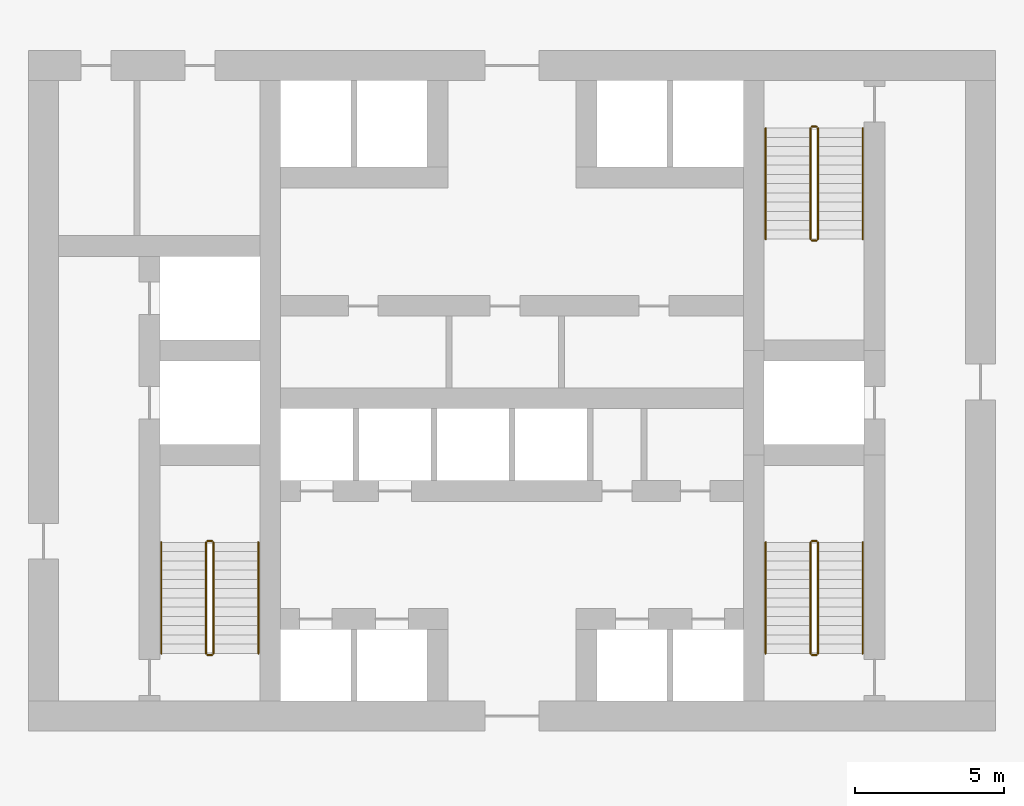
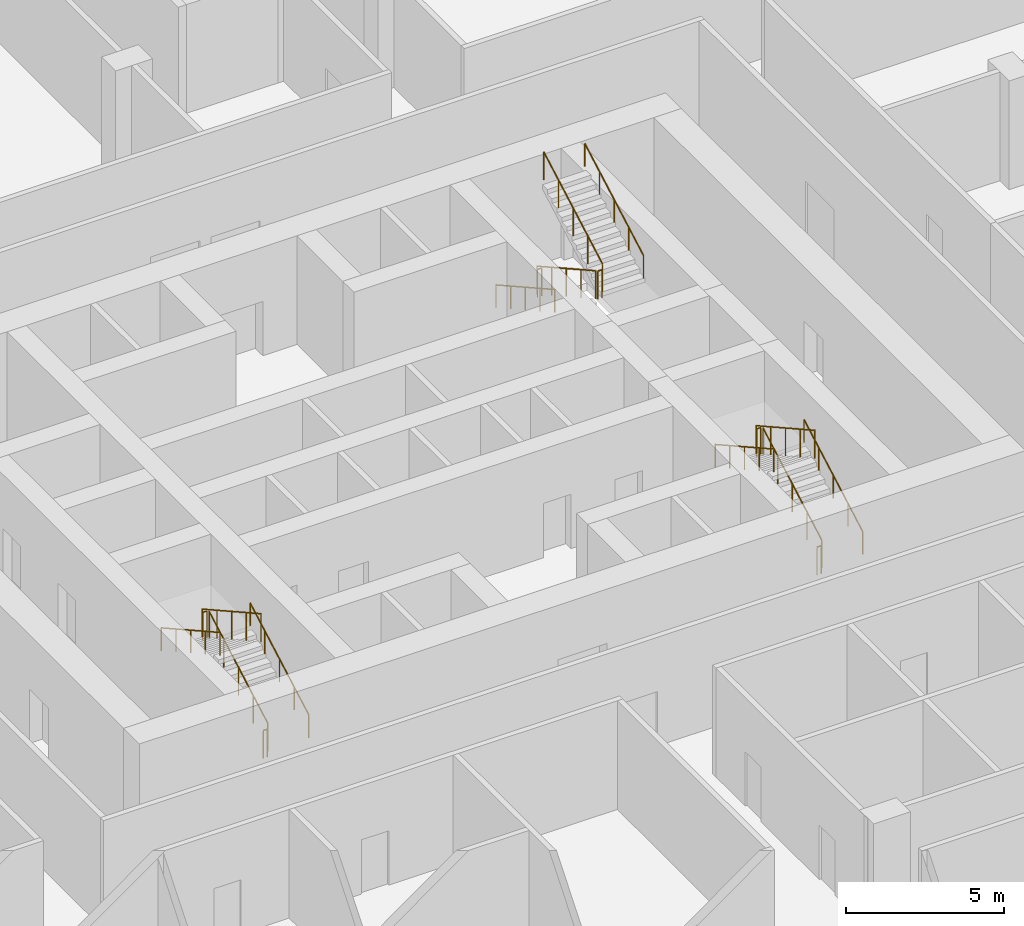
# One storey, part 43 of 45: 18 railings.
"""IFC4 building model written with IfcOpenShell, lengths in metres."""

import ifcopenshell
import ifcopenshell.guid

model = None  # the IFC model being written
_history = None  # IfcOwnerHistory: only IFC2X3 demands one
_inside = {}  # id of a spatial element -> (the spatial element, [elements in it])
_under = {}  # id of a project, library or spatial element -> (it, [spatial elements below it])
_declared = {}  # id of a project -> (the project, [libraries it declares])
_typed = {}  # id of a type object -> (the type object, [elements of that type])
_made_of = {}  # id of a material, layer set ... -> (it, [elements and type objects made of it])


def new_model(schema):
    """Start an empty IFC model of exactly this schema.

    Asked for "IFC4X3", IfcOpenShell would pick the latest addendum, in which some entities
    have other attributes; the version numbers below select the first issue.
    IFC2X3 requires an IfcOwnerHistory on every rooted entity: one is made here for all.
    """
    global model, _history
    if schema == "IFC4X3":
        model = ifcopenshell.file(schema_version=(4, 3, 0, 0))
    else:
        model = ifcopenshell.file(schema=schema)
    _inside.clear()
    _under.clear()
    _declared.clear()
    _typed.clear()
    _made_of.clear()
    _history = None
    if model.schema == "IFC2X3":
        org = make("IfcOrganization", Name="unknown")
        user = make(
            "IfcPersonAndOrganization",
            ThePerson=make("IfcPerson", FamilyName="unknown"),
            TheOrganization=org,
        )
        app = make(
            "IfcApplication",
            ApplicationDeveloper=org,
            Version="unknown",
            ApplicationFullName="unknown",
            ApplicationIdentifier="unknown",
        )
        _history = make(
            "IfcOwnerHistory",
            OwningUser=user,
            OwningApplication=app,
            ChangeAction="ADDED",
            CreationDate=0,
        )
    return model


def make(cls, **values):
    """One entity of the class cls with the attributes given. An attribute that is None is left unset."""
    return model.create_entity(
        cls, **{name: value for name, value in values.items() if value is not None}
    )


def rooted(cls, **values):
    """An entity with a GlobalId (a new one), such as an element, a storey or a relation."""
    return make(cls, GlobalId=ifcopenshell.guid.new(), OwnerHistory=_history, **values)


def si_unit(unit_type, name, prefix=None):
    """IfcSIUnit, for example si_unit("LENGTHUNIT", "METRE", prefix="MILLI")."""
    return make("IfcSIUnit", UnitType=unit_type, Prefix=prefix, Name=name)


def assignment(units):
    """IfcUnitAssignment: the units of a project."""
    return None if units is None else make("IfcUnitAssignment", Units=units)


def point(xyz):
    """IfcCartesianPoint."""
    return None if xyz is None else make("IfcCartesianPoint", Coordinates=xyz)


def direction(xyz):
    """IfcDirection."""
    return None if xyz is None else make("IfcDirection", DirectionRatios=xyz)


def frame(location, z_axis=None, x_axis=None):
    """IfcAxis2Placement3D, a coordinate frame: its origin and axes. An axis left out is left unset."""
    return make(
        "IfcAxis2Placement3D",
        Location=point(location),
        Axis=direction(z_axis),
        RefDirection=direction(x_axis),
    )


def frame_2d(location, x_axis=None):
    """IfcAxis2Placement2D, a coordinate frame in the plane: its origin and x axis."""
    return make(
        "IfcAxis2Placement2D", Location=point(location), RefDirection=direction(x_axis)
    )


def origin():
    """The frame at (0, 0, 0) with its axes left unset."""
    return frame((0.0, 0.0, 0.0))


def origin_2d():
    """The frame at (0, 0) in the plane with its x axis left unset."""
    return frame_2d((0.0, 0.0))


def place(relative_to, where):
    """IfcLocalPlacement: puts the frame where relative to a parent placement (None: the world)."""
    return make(
        "IfcLocalPlacement", PlacementRelTo=relative_to, RelativePlacement=where
    )


def context(
    kind, dimensions, precision=None, world=None, true_north=None, identifier=None
):
    """IfcGeometricRepresentationContext, for example the 3D "Model" context."""
    return make(
        "IfcGeometricRepresentationContext",
        ContextIdentifier=identifier,
        ContextType=kind,
        CoordinateSpaceDimension=dimensions,
        Precision=precision,
        WorldCoordinateSystem=world,
        TrueNorth=true_north,
    )


def subcontext(parent, identifier, kind, view, scale=None):
    """IfcGeometricRepresentationSubContext, for example "Body" below "Model"."""
    return make(
        "IfcGeometricRepresentationSubContext",
        ContextIdentifier=identifier,
        ContextType=kind,
        ParentContext=parent,
        TargetScale=scale,
        TargetView=view,
    )


def project(units=None, contexts=None):
    """IfcProject with its units and contexts."""
    return rooted(
        "IfcProject",
        Name="project",
        RepresentationContexts=contexts,
        UnitsInContext=assignment(units),
    )


def spatial(cls, under=None, at=None, **own):
    """A site, building, storey or space (cls), placed at a placement, below another one or the project."""
    s = rooted(cls, ObjectPlacement=at, **own)
    if under is not None:
        _under.setdefault(under.id(), (under, []))[1].append(s)
    return s


def profile(cls, at=None, kind="AREA", **sizes):
    """A parametric profile (cls). Its sizes go by their IFC names, for example OverallWidth=200.0."""
    return make(cls, ProfileType=kind, Position=at, **sizes)


def circle(**sizes):
    """IfcCircleProfileDef."""
    return profile("IfcCircleProfileDef", **sizes)


def extrude(swept, where, along, depth):
    """IfcExtrudedAreaSolid: the profile swept, set in the frame where, extruded along a direction by depth."""
    return make(
        "IfcExtrudedAreaSolid",
        SweptArea=swept,
        Position=where,
        ExtrudedDirection=direction(along),
        Depth=depth,
    )


def shape(context_of_items, identifier, shape_type, items):
    """IfcShapeRepresentation: the items that make up one representation, for example the "Body"."""
    return make(
        "IfcShapeRepresentation",
        ContextOfItems=context_of_items,
        RepresentationIdentifier=identifier,
        RepresentationType=shape_type,
        Items=items,
    )


def material(Name=None, Category=None):
    """IfcMaterial."""
    return make("IfcMaterial", Name=Name, Category=Category)


def made_of(thing, what):
    """Note that an element or type object is made of a material, layer set ...; save() writes the relation."""
    if what is not None:
        _made_of.setdefault(what.id(), (what, []))[1].append(thing)
    return thing


def type_object(cls, material=None, **own):
    """A type object (cls), such as IfcWallType, which elements share."""
    return made_of(rooted(cls, **own), material)


def element(
    cls,
    number,
    at=None,
    inside=None,
    cuts=None,
    type_object=None,
    material=None,
    context=None,
    identifier="Body",
    shape_type=None,
    held_by="IfcProductDefinitionShape",
    body=None,
    shapes=None,
    **own,
):
    """One element of the class cls, such as IfcWall. Its Tag is "e" and its number.

    at: its placement. inside: the storey or other place that contains it. cuts: it is an
    opening in that element (IfcRelVoidsElement). A single representation is given by context,
    identifier, shape_type and body (its items); several are given by shapes. held_by: the class
    of the entity that holds the representations. save() writes the other relations.
    """
    e = rooted(cls, Tag="e%d" % number, ObjectPlacement=at, **own)
    if body is not None:
        shapes = [shape(context, identifier, shape_type, body)]
    if shapes is not None:
        e.Representation = make(held_by, Representations=shapes)
    if inside is not None:
        _inside.setdefault(inside.id(), (inside, []))[1].append(e)
    if cuts is not None:
        rooted(
            "IfcRelVoidsElement", RelatingBuildingElement=cuts, RelatedOpeningElement=e
        )
    if type_object is not None:
        _typed.setdefault(type_object.id(), (type_object, []))[1].append(e)
    return made_of(e, material)


def aggregate(whole, parts):
    """IfcRelAggregates: a whole, such as a stair, and the parts it consists of."""
    return rooted("IfcRelAggregates", RelatingObject=whole, RelatedObjects=parts)


def save(model, path):
    """Write the relations noted so far, then the file.

    IfcRelAggregates (storeys below a building ...), IfcRelContainedInSpatialStructure (elements
    in a storey), IfcRelDefinesByType, IfcRelAssociatesMaterial and IfcRelDeclares: one each for
    every whole, place, type object, material and project.
    """
    for whole, parts in _under.values():
        aggregate(whole, parts)
    for where, things in _inside.values():
        rooted(
            "IfcRelContainedInSpatialStructure",
            RelatedElements=things,
            RelatingStructure=where,
        )
    for kind, things in _typed.values():
        rooted("IfcRelDefinesByType", RelatedObjects=things, RelatingType=kind)
    for what, things in _made_of.values():
        rooted("IfcRelAssociatesMaterial", RelatedObjects=things, RelatingMaterial=what)
    for by, libraries in _declared.values():
        rooted("IfcRelDeclares", RelatingContext=by, RelatedDefinitions=libraries)
    model.write(path)


model = new_model("IFC4")

# Units and contexts
model_context = context("Model", 3, precision=1e-05, world=origin(), true_north=direction((0.0, 1.0)))
body_context = subcontext(model_context, "Body", "Model", "MODEL_VIEW")
ifc_project = project(units=[si_unit("LENGTHUNIT", "METRE"), si_unit("AREAUNIT", "SQUARE_METRE"), si_unit("VOLUMEUNIT", "CUBIC_METRE"), si_unit("PLANEANGLEUNIT", "RADIAN"), si_unit("MASSUNIT", "GRAM", prefix="KILO")], contexts=[model_context])

# Site, building, storey
site_placement = place(None, origin())
site = spatial("IfcSite", under=ifc_project, at=site_placement, CompositionType="ELEMENT")
building_placement = place(site_placement, origin())
building = spatial("IfcBuilding", under=site, at=building_placement, Name="Madar Terraces", CompositionType="ELEMENT")
storey_placement = place(building_placement, frame((0.0, 0.0, 6.0)))
storey = spatial("IfcBuildingStorey", under=building, at=storey_placement, Name="L01", CompositionType="ELEMENT", Elevation=6.0)

# Railings
ifc_material_1 = material(Name="Stainless steel railing", Category="steel")
railing_type_1 = type_object("IfcRailingType", Name="Stair guard 1100", PredefinedType="GUARDRAIL", material=ifc_material_1)
railing_1_placement = place(storey_placement, frame((21.199951171875, 17.60009765625, 0.173095703125)))
element("IfcRailing", 1, at=railing_1_placement, inside=storey, type_object=railing_type_1, Name="L01 ST1 stair guard 1", PredefinedType="GUARDRAIL", context=body_context, shape_type="SweptSolid", body=[
    extrude(circle(Radius=0.02392578125, at=origin_2d()), frame((0.0, 0.0, 1.076171875), z_axis=(0.0, 0.873133609054, 0.487480974747), x_axis=(-1.0, 0.0, 0.0)), (0.0, 0.0, 1.0), 4.260498046875),
    extrude(circle(Radius=0.02099609375, at=origin_2d()), origin(), (0.0, 0.0, 1.0), 1.052001953125),
    extrude(circle(Radius=0.02099609375, at=origin_2d()), frame((0.0, 0.929931640625, 0.519287109375)), (0.0, 0.0, 1.0), 1.052001953125),
    extrude(circle(Radius=0.02099609375, at=origin_2d()), frame((0.0, 1.85986328125, 1.03857421875)), (0.0, 0.0, 1.0), 1.052001953125),
    extrude(circle(Radius=0.02099609375, at=origin_2d()), frame((0.0, 2.7900390625, 1.5576171875)), (0.0, 0.0, 1.0), 1.052001953125),
    extrude(circle(Radius=0.02099609375, at=origin_2d()), frame((0.0, 3.719970703125, 2.076904296875)), (0.0, 0.0, 1.0), 1.052001953125),
])
railing_2_placement = place(storey_placement, frame((21.14990234375, 21.3701171875, 2.25)))
element("IfcRailing", 2, at=railing_2_placement, inside=storey, type_object=railing_type_1, Name="L01 ST1 stair guard 2", PredefinedType="GUARDRAIL", context=body_context, shape_type="SweptSolid", body=[
    extrude(circle(Radius=0.02392578125, at=origin_2d()), frame((0.0, 0.0, 1.076171875), z_axis=(-1.0, 0.0, 0.0), x_axis=(0.0, -1.0, 0.0)), (0.0, 0.0, 1.0), 0.14990234375),
    extrude(circle(Radius=0.02099609375, at=origin_2d()), origin(), (0.0, 0.0, 1.0), 1.052001953125),
    extrude(circle(Radius=0.02099609375, at=origin_2d()), frame((-0.14990234375, 0.0, 0.0)), (0.0, 0.0, 1.0), 1.052001953125),
])
railing_3_placement = place(storey_placement, frame((20.949951171875, 21.320068359375, 2.423095703125)))
element("IfcRailing", 3, at=railing_3_placement, inside=storey, type_object=railing_type_1, Name="L01 ST1 stair guard 3", PredefinedType="GUARDRAIL", context=body_context, shape_type="SweptSolid", body=[
    extrude(circle(Radius=0.02392578125, at=origin_2d()), frame((0.0, 0.0, 1.076171875), z_axis=(0.0, -0.873133609054, 0.487480974747), x_axis=(1.0, 0.0, 0.0)), (0.0, 0.0, 1.0), 4.260498046875),
    extrude(circle(Radius=0.02099609375, at=origin_2d()), origin(), (0.0, 0.0, 1.0), 1.052001953125),
    extrude(circle(Radius=0.02099609375, at=origin_2d()), frame((0.0, -0.929931640625, 0.519287109375)), (0.0, 0.0, 1.0), 1.052001953125),
    extrude(circle(Radius=0.02099609375, at=origin_2d()), frame((0.0, -1.85986328125, 1.03857421875)), (0.0, 0.0, 1.0), 1.052001953125),
    extrude(circle(Radius=0.02099609375, at=origin_2d()), frame((0.0, -2.7900390625, 1.5576171875)), (0.0, 0.0, 1.0), 1.052001953125),
    extrude(circle(Radius=0.02099609375, at=origin_2d()), frame((0.0, -3.719970703125, 2.076904296875)), (0.0, 0.0, 1.0), 1.052001953125),
])
railing_4_placement = place(storey_placement, frame((21.14990234375, 17.550048828125, 0.0)))
element("IfcRailing", 4, at=railing_4_placement, inside=storey, type_object=railing_type_1, Name="L01 ST1 stair guard 4", PredefinedType="GUARDRAIL", context=body_context, shape_type="SweptSolid", body=[
    extrude(circle(Radius=0.02392578125, at=origin_2d()), frame((0.0, 0.0, 1.076171875), z_axis=(-1.0, 0.0, 0.0), x_axis=(0.0, -1.0, 0.0)), (0.0, 0.0, 1.0), 0.14990234375),
    extrude(circle(Radius=0.02099609375, at=origin_2d()), origin(), (0.0, 0.0, 1.0), 1.052001953125),
    extrude(circle(Radius=0.02099609375, at=origin_2d()), frame((-0.14990234375, 0.0, 0.0)), (0.0, 0.0, 1.0), 1.052001953125),
])
railing_5_placement = place(storey_placement, frame((41.199951171875, 35.199951171875, 0.173095703125)))
element("IfcRailing", 5, at=railing_5_placement, inside=storey, type_object=railing_type_1, Name="L01 ST2 stair guard 1", PredefinedType="GUARDRAIL", context=body_context, shape_type="SweptSolid", body=[
    extrude(circle(Radius=0.02392578125, at=origin_2d()), frame((0.0, 0.0, 1.076171875), z_axis=(0.0, -0.873133609054, 0.487480974747), x_axis=(1.0, 0.0, 0.0)), (0.0, 0.0, 1.0), 4.260498046875),
    extrude(circle(Radius=0.02099609375, at=origin_2d()), origin(), (0.0, 0.0, 1.0), 1.052001953125),
    extrude(circle(Radius=0.02099609375, at=origin_2d()), frame((0.0, -0.929931640625, 0.519287109375)), (0.0, 0.0, 1.0), 1.052001953125),
    extrude(circle(Radius=0.02099609375, at=origin_2d()), frame((0.0, -1.85986328125, 1.03857421875)), (0.0, 0.0, 1.0), 1.052001953125),
    extrude(circle(Radius=0.02099609375, at=origin_2d()), frame((0.0, -2.7900390625, 1.5576171875)), (0.0, 0.0, 1.0), 1.052001953125),
    extrude(circle(Radius=0.02099609375, at=origin_2d()), frame((0.0, -3.719970703125, 2.076904296875)), (0.0, 0.0, 1.0), 1.052001953125),
])
railing_6_placement = place(storey_placement, frame((41.25, 31.429931640625, 2.25)))
element("IfcRailing", 6, at=railing_6_placement, inside=storey, type_object=railing_type_1, Name="L01 ST2 stair guard 2", PredefinedType="GUARDRAIL", context=body_context, shape_type="SweptSolid", body=[
    extrude(circle(Radius=0.02392578125, at=origin_2d()), frame((0.0, 0.0, 1.076171875), z_axis=(1.0, 0.0, 0.0), x_axis=(0.0, 1.0, 0.0)), (0.0, 0.0, 1.0), 0.14990234375),
    extrude(circle(Radius=0.02099609375, at=origin_2d()), origin(), (0.0, 0.0, 1.0), 1.052001953125),
    extrude(circle(Radius=0.02099609375, at=origin_2d()), frame((0.14990234375, 0.0, 0.0)), (0.0, 0.0, 1.0), 1.052001953125),
])
railing_7_placement = place(storey_placement, frame((41.449951171875, 31.47998046875, 2.423095703125)))
element("IfcRailing", 7, at=railing_7_placement, inside=storey, type_object=railing_type_1, Name="L01 ST2 stair guard 3", PredefinedType="GUARDRAIL", context=body_context, shape_type="SweptSolid", body=[
    extrude(circle(Radius=0.02392578125, at=origin_2d()), frame((0.0, 0.0, 1.076171875), z_axis=(0.0, 0.873133609054, 0.487480974747), x_axis=(-1.0, 0.0, 0.0)), (0.0, 0.0, 1.0), 4.260498046875),
    extrude(circle(Radius=0.02099609375, at=origin_2d()), origin(), (0.0, 0.0, 1.0), 1.052001953125),
    extrude(circle(Radius=0.02099609375, at=origin_2d()), frame((0.0, 0.929931640625, 0.519287109375)), (0.0, 0.0, 1.0), 1.052001953125),
    extrude(circle(Radius=0.02099609375, at=origin_2d()), frame((0.0, 1.85986328125, 1.03857421875)), (0.0, 0.0, 1.0), 1.052001953125),
    extrude(circle(Radius=0.02099609375, at=origin_2d()), frame((0.0, 2.7900390625, 1.5576171875)), (0.0, 0.0, 1.0), 1.052001953125),
    extrude(circle(Radius=0.02099609375, at=origin_2d()), frame((0.0, 3.719970703125, 2.076904296875)), (0.0, 0.0, 1.0), 1.052001953125),
])
railing_8_placement = place(storey_placement, frame((41.25, 35.25, 0.0)))
element("IfcRailing", 8, at=railing_8_placement, inside=storey, type_object=railing_type_1, Name="L01 ST2 stair guard 4", PredefinedType="GUARDRAIL", context=body_context, shape_type="SweptSolid", body=[
    extrude(circle(Radius=0.02392578125, at=origin_2d()), frame((0.0, 0.0, 1.076171875), z_axis=(1.0, 0.0, 0.0), x_axis=(0.0, 1.0, 0.0)), (0.0, 0.0, 1.0), 0.14990234375),
    extrude(circle(Radius=0.02099609375, at=origin_2d()), origin(), (0.0, 0.0, 1.0), 1.052001953125),
    extrude(circle(Radius=0.02099609375, at=origin_2d()), frame((0.14990234375, 0.0, 0.0)), (0.0, 0.0, 1.0), 1.052001953125),
])
railing_9_placement = place(storey_placement, frame((41.449951171875, 17.60009765625, 0.173095703125)))
element("IfcRailing", 9, at=railing_9_placement, inside=storey, type_object=railing_type_1, Name="L01 ST3 stair guard 1", PredefinedType="GUARDRAIL", context=body_context, shape_type="SweptSolid", body=[
    extrude(circle(Radius=0.02392578125, at=origin_2d()), frame((0.0, 0.0, 1.076171875), z_axis=(0.0, 0.873133609054, 0.487480974747), x_axis=(-1.0, 0.0, 0.0)), (0.0, 0.0, 1.0), 4.260498046875),
    extrude(circle(Radius=0.02099609375, at=origin_2d()), origin(), (0.0, 0.0, 1.0), 1.052001953125),
    extrude(circle(Radius=0.02099609375, at=origin_2d()), frame((0.0, 0.929931640625, 0.519287109375)), (0.0, 0.0, 1.0), 1.052001953125),
    extrude(circle(Radius=0.02099609375, at=origin_2d()), frame((0.0, 1.85986328125, 1.03857421875)), (0.0, 0.0, 1.0), 1.052001953125),
    extrude(circle(Radius=0.02099609375, at=origin_2d()), frame((0.0, 2.7900390625, 1.5576171875)), (0.0, 0.0, 1.0), 1.052001953125),
    extrude(circle(Radius=0.02099609375, at=origin_2d()), frame((0.0, 3.719970703125, 2.076904296875)), (0.0, 0.0, 1.0), 1.052001953125),
])
railing_10_placement = place(storey_placement, frame((41.39990234375, 21.3701171875, 2.25)))
element("IfcRailing", 10, at=railing_10_placement, inside=storey, type_object=railing_type_1, Name="L01 ST3 stair guard 2", PredefinedType="GUARDRAIL", context=body_context, shape_type="SweptSolid", body=[
    extrude(circle(Radius=0.02392578125, at=origin_2d()), frame((0.0, 0.0, 1.076171875), z_axis=(-1.0, 0.0, 0.0), x_axis=(0.0, -1.0, 0.0)), (0.0, 0.0, 1.0), 0.14990234375),
    extrude(circle(Radius=0.02099609375, at=origin_2d()), origin(), (0.0, 0.0, 1.0), 1.052001953125),
    extrude(circle(Radius=0.02099609375, at=origin_2d()), frame((-0.14990234375, 0.0, 0.0)), (0.0, 0.0, 1.0), 1.052001953125),
])
railing_11_placement = place(storey_placement, frame((41.199951171875, 21.320068359375, 2.423095703125)))
element("IfcRailing", 11, at=railing_11_placement, inside=storey, type_object=railing_type_1, Name="L01 ST3 stair guard 3", PredefinedType="GUARDRAIL", context=body_context, shape_type="SweptSolid", body=[
    extrude(circle(Radius=0.02392578125, at=origin_2d()), frame((0.0, 0.0, 1.076171875), z_axis=(0.0, -0.873133609054, 0.487480974747), x_axis=(1.0, 0.0, 0.0)), (0.0, 0.0, 1.0), 4.260498046875),
    extrude(circle(Radius=0.02099609375, at=origin_2d()), origin(), (0.0, 0.0, 1.0), 1.052001953125),
    extrude(circle(Radius=0.02099609375, at=origin_2d()), frame((0.0, -0.929931640625, 0.519287109375)), (0.0, 0.0, 1.0), 1.052001953125),
    extrude(circle(Radius=0.02099609375, at=origin_2d()), frame((0.0, -1.85986328125, 1.03857421875)), (0.0, 0.0, 1.0), 1.052001953125),
    extrude(circle(Radius=0.02099609375, at=origin_2d()), frame((0.0, -2.7900390625, 1.5576171875)), (0.0, 0.0, 1.0), 1.052001953125),
    extrude(circle(Radius=0.02099609375, at=origin_2d()), frame((0.0, -3.719970703125, 2.076904296875)), (0.0, 0.0, 1.0), 1.052001953125),
])
railing_12_placement = place(storey_placement, frame((41.39990234375, 17.550048828125, 0.0)))
element("IfcRailing", 12, at=railing_12_placement, inside=storey, type_object=railing_type_1, Name="L01 ST3 stair guard 4", PredefinedType="GUARDRAIL", context=body_context, shape_type="SweptSolid", body=[
    extrude(circle(Radius=0.02392578125, at=origin_2d()), frame((0.0, 0.0, 1.076171875), z_axis=(-1.0, 0.0, 0.0), x_axis=(0.0, -1.0, 0.0)), (0.0, 0.0, 1.0), 0.14990234375),
    extrude(circle(Radius=0.02099609375, at=origin_2d()), origin(), (0.0, 0.0, 1.0), 1.052001953125),
    extrude(circle(Radius=0.02099609375, at=origin_2d()), frame((-0.14990234375, 0.0, 0.0)), (0.0, 0.0, 1.0), 1.052001953125),
])
ifc_material_2 = material(Name="Stainless steel railing", Category="steel")
railing_type_2 = type_object("IfcRailingType", Name="Stair handrail 900", PredefinedType="HANDRAIL", material=ifc_material_2)
railing_13_placement = place(storey_placement, frame((22.699951171875, 17.60009765625, 0.173095703125)))
element("IfcRailing", 13, at=railing_13_placement, inside=storey, type_object=railing_type_2, Name="L01 ST1 stair handrail 1", PredefinedType="HANDRAIL", context=body_context, shape_type="SweptSolid", body=[
    extrude(circle(Radius=0.02392578125, at=origin_2d()), frame((0.0, 0.0, 0.8759765625), z_axis=(0.0, 0.873133609054, 0.487480974747), x_axis=(-1.0, 0.0, 0.0)), (0.0, 0.0, 1.0), 4.260498046875),
    extrude(circle(Radius=0.02099609375, at=origin_2d()), origin(), (0.0, 0.0, 1.0), 0.851806640625),
    extrude(circle(Radius=0.02099609375, at=origin_2d()), frame((0.0, 0.929931640625, 0.519287109375)), (0.0, 0.0, 1.0), 0.851806640625),
    extrude(circle(Radius=0.02099609375, at=origin_2d()), frame((0.0, 1.85986328125, 1.03857421875)), (0.0, 0.0, 1.0), 0.851806640625),
    extrude(circle(Radius=0.02099609375, at=origin_2d()), frame((0.0, 2.7900390625, 1.5576171875)), (0.0, 0.0, 1.0), 0.851806640625),
    extrude(circle(Radius=0.02099609375, at=origin_2d()), frame((0.0, 3.719970703125, 2.076904296875)), (0.0, 0.0, 1.0), 0.851806640625),
])
for number, where, name in (
    (14, (19.449951171875, 21.320068359375, 2.423095703125), "L01 ST1 stair handrail 2"),
    (15, (39.699951171875, 35.199951171875, 0.173095703125), "L01 ST2 stair handrail 1"),
):
    element("IfcRailing", number, at=place(storey_placement, frame(where)), inside=storey, type_object=railing_type_2, Name=name, PredefinedType="HANDRAIL", context=body_context, shape_type="SweptSolid", body=[
        extrude(circle(Radius=0.02392578125, at=origin_2d()), frame((0.0, 0.0, 0.8759765625), z_axis=(0.0, -0.873133609054, 0.487480974747), x_axis=(1.0, 0.0, 0.0)), (0.0, 0.0, 1.0), 4.260498046875),
        extrude(circle(Radius=0.02099609375, at=origin_2d()), origin(), (0.0, 0.0, 1.0), 0.851806640625),
        extrude(circle(Radius=0.02099609375, at=origin_2d()), frame((0.0, -0.929931640625, 0.519287109375)), (0.0, 0.0, 1.0), 0.851806640625),
        extrude(circle(Radius=0.02099609375, at=origin_2d()), frame((0.0, -1.85986328125, 1.03857421875)), (0.0, 0.0, 1.0), 0.851806640625),
        extrude(circle(Radius=0.02099609375, at=origin_2d()), frame((0.0, -2.7900390625, 1.5576171875)), (0.0, 0.0, 1.0), 0.851806640625),
        extrude(circle(Radius=0.02099609375, at=origin_2d()), frame((0.0, -3.719970703125, 2.076904296875)), (0.0, 0.0, 1.0), 0.851806640625),
    ])
for number, where, name in (
    (16, (42.949951171875, 31.47998046875, 2.423095703125), "L01 ST2 stair handrail 2"),
    (17, (42.949951171875, 17.60009765625, 0.173095703125), "L01 ST3 stair handrail 1"),
):
    element("IfcRailing", number, at=place(storey_placement, frame(where)), inside=storey, type_object=railing_type_2, Name=name, PredefinedType="HANDRAIL", context=body_context, shape_type="SweptSolid", body=[
        extrude(circle(Radius=0.02392578125, at=origin_2d()), frame((0.0, 0.0, 0.8759765625), z_axis=(0.0, 0.873133609054, 0.487480974747), x_axis=(-1.0, 0.0, 0.0)), (0.0, 0.0, 1.0), 4.260498046875),
        extrude(circle(Radius=0.02099609375, at=origin_2d()), origin(), (0.0, 0.0, 1.0), 0.851806640625),
        extrude(circle(Radius=0.02099609375, at=origin_2d()), frame((0.0, 0.929931640625, 0.519287109375)), (0.0, 0.0, 1.0), 0.851806640625),
        extrude(circle(Radius=0.02099609375, at=origin_2d()), frame((0.0, 1.85986328125, 1.03857421875)), (0.0, 0.0, 1.0), 0.851806640625),
        extrude(circle(Radius=0.02099609375, at=origin_2d()), frame((0.0, 2.7900390625, 1.5576171875)), (0.0, 0.0, 1.0), 0.851806640625),
        extrude(circle(Radius=0.02099609375, at=origin_2d()), frame((0.0, 3.719970703125, 2.076904296875)), (0.0, 0.0, 1.0), 0.851806640625),
    ])
railing_14_placement = place(storey_placement, frame((39.699951171875, 21.320068359375, 2.423095703125)))
element("IfcRailing", 18, at=railing_14_placement, inside=storey, type_object=railing_type_2, Name="L01 ST3 stair handrail 2", PredefinedType="HANDRAIL", context=body_context, shape_type="SweptSolid", body=[
    extrude(circle(Radius=0.02392578125, at=origin_2d()), frame((0.0, 0.0, 0.8759765625), z_axis=(0.0, -0.873133609054, 0.487480974747), x_axis=(1.0, 0.0, 0.0)), (0.0, 0.0, 1.0), 4.260498046875),
    extrude(circle(Radius=0.02099609375, at=origin_2d()), origin(), (0.0, 0.0, 1.0), 0.851806640625),
    extrude(circle(Radius=0.02099609375, at=origin_2d()), frame((0.0, -0.929931640625, 0.519287109375)), (0.0, 0.0, 1.0), 0.851806640625),
    extrude(circle(Radius=0.02099609375, at=origin_2d()), frame((0.0, -1.85986328125, 1.03857421875)), (0.0, 0.0, 1.0), 0.851806640625),
    extrude(circle(Radius=0.02099609375, at=origin_2d()), frame((0.0, -2.7900390625, 1.5576171875)), (0.0, 0.0, 1.0), 0.851806640625),
    extrude(circle(Radius=0.02099609375, at=origin_2d()), frame((0.0, -3.719970703125, 2.076904296875)), (0.0, 0.0, 1.0), 0.851806640625),
])

save(model, "model.ifc")
